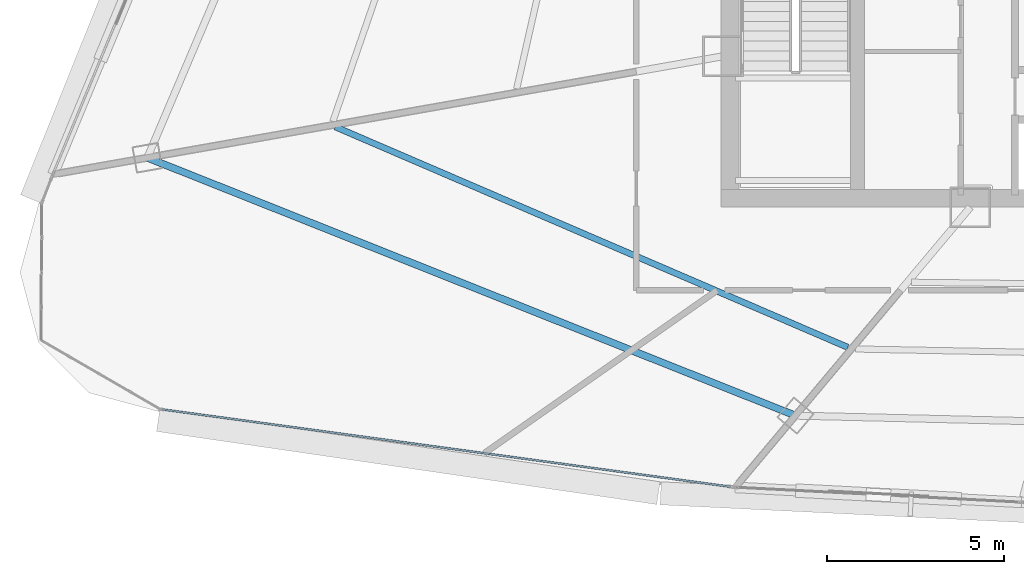
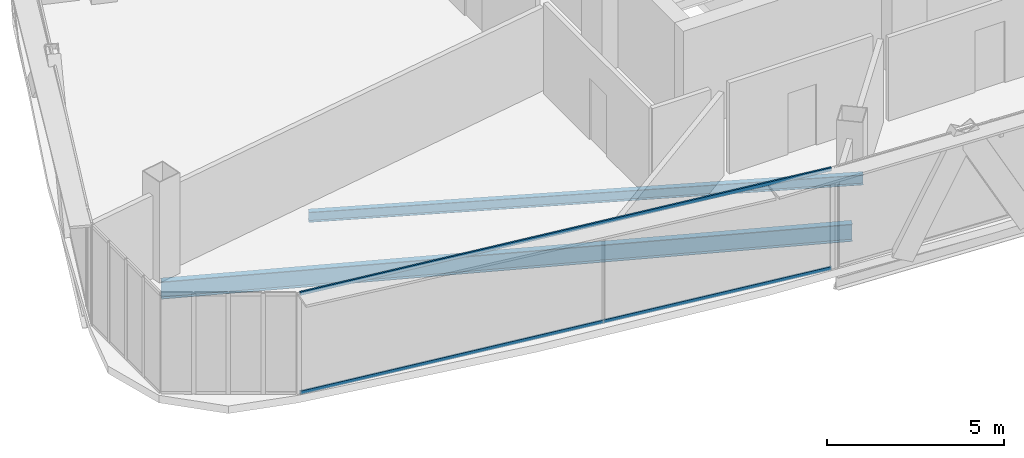
# One storey, part 3 of 40: 2 beams, 2 members, 1 element without a shape of its own.
"""IFC4 building model written with IfcOpenShell, lengths in metres."""

from ifc_helpers import new_model, si_unit, direction, frame, origin, origin_2d, place, context, subcontext, project, spatial, hollow_rectangle, i_section, extrude, source, transform, mapped, material, layer, layer_set, material_profile, profile_set, type_object, element, aggregate, save


model = new_model("IFC4")

# Units and contexts
model_context = context("Model", 3, precision=1e-05, world=origin(), true_north=direction((0.0, 1.0)))
body_context = subcontext(model_context, "Body", "Model", "MODEL_VIEW")
ifc_project = project(units=[si_unit("LENGTHUNIT", "METRE"), si_unit("AREAUNIT", "SQUARE_METRE"), si_unit("VOLUMEUNIT", "CUBIC_METRE"), si_unit("PLANEANGLEUNIT", "RADIAN"), si_unit("MASSUNIT", "GRAM", prefix="KILO"), si_unit("THERMODYNAMICTEMPERATUREUNIT", "KELVIN"), si_unit("POWERUNIT", "WATT")], contexts=[model_context])

# Site, building, storey
site_placement = place(None, origin())
site = spatial("IfcSite", under=ifc_project, at=site_placement, CompositionType="ELEMENT")
building_placement = place(site_placement, origin())
building = spatial("IfcBuilding", under=site, at=building_placement, Name="Yunzhuo Pagoda Commons", CompositionType="ELEMENT")
storey_placement = place(building_placement, frame((0.0, 0.0, 292.47998046875)))
storey = spatial("IfcBuildingStorey", under=building, at=storey_placement, Name="L73", CompositionType="ELEMENT", Elevation=292.47998046875)

# Beams
ifc_material_1 = material(Name="Structural steel Q355B", Category="steel")
ifc_material_profile_1 = material_profile(ifc_material_1, i_section(OverallWidth=0.199951171875, OverallDepth=0.60009765625, WebThickness=0.010986328125, FlangeThickness=0.01708984375, at=origin_2d()), Name="Structural steel Q355B")
ifc_profile_set_1 = profile_set([ifc_material_profile_1], Name="Structural steel Q355B")
beam_type_1 = type_object("IfcBeamType", Name="B-RG3 Beam HN 600x200x11x17", PredefinedType="BEAM", material=ifc_profile_set_1)
shared_shape_1 = source(origin(), body_context, "Body", "SweptSolid", [
    extrude(i_section(OverallWidth=0.199951171875, OverallDepth=0.60009765625, WebThickness=0.010986328125, FlangeThickness=0.01708984375, at=origin_2d()), origin(), (0.0, 0.0, 1.0), 19.70458984375),
])
beam_1_placement = place(storey_placement, frame((19.33837890625, 28.646240234375, -0.56005859375), z_axis=(0.929153602905, -0.369693903396, 0.0), x_axis=(0.369693903396, 0.929153602905, 0.0)))
element("IfcBeam", 1, at=beam_1_placement, inside=storey, type_object=beam_type_1, Name="L73 column-ring beam 12", PredefinedType="BEAM", context=body_context, shape_type="MappedRepresentation", body=[
    mapped(shared_shape_1, transform((0.0, 0.0, 0.0), scale=1.0)),
])
ifc_material_profile_2 = material_profile(ifc_material_1, i_section(OverallWidth=0.175048828125, OverallDepth=0.35009765625, WebThickness=0.007080078125, FlangeThickness=0.010986328125, at=origin_2d()), Name="Structural steel Q355B")
ifc_profile_set_2 = profile_set([ifc_material_profile_2], Name="Structural steel Q355B")
beam_type_2 = type_object("IfcBeamType", Name="B-JS2 Joist HN 350x175x7x11", PredefinedType="JOIST", material=ifc_profile_set_2)
shared_shape_2 = source(origin(), body_context, "Body", "SweptSolid", [
    extrude(i_section(OverallWidth=0.175048828125, OverallDepth=0.35009765625, WebThickness=0.007080078125, FlangeThickness=0.010986328125, at=origin_2d()), origin(), (0.0, 0.0, 1.0), 15.757568359375),
])
beam_2_placement = place(storey_placement, frame((24.647705078125, 29.5185546875, -0.43505859375), z_axis=(0.918597596679, -0.395194199573, 0.0), x_axis=(0.395194199573, 0.918597596679, 0.0)))
element("IfcBeam", 2, at=beam_2_placement, inside=storey, type_object=beam_type_2, Name="L73 composite ring joist 2.12", PredefinedType="JOIST", context=body_context, shape_type="MappedRepresentation", body=[
    mapped(shared_shape_2, transform((0.0, 0.0, 0.0), scale=1.0)),
])

# Curtain wall, members
ifc_material_2 = material(Name="Anodized aluminium 6063-T6", Category="aluminium")
ifc_layer = layer(ifc_material_2, 0.139892578125)
ifc_layer_set = layer_set([ifc_layer], Name="Anodized aluminium 6063-T6")
curtain_wall_type = type_object("IfcCurtainWallType", Name="CW-HI High-Zone Ribbon Curtain Wall", PredefinedType="NOTDEFINED", material=ifc_layer_set)
curtain_wall_placement = place(storey_placement, origin())
curtain_wall = element("IfcCurtainWall", 3, at=curtain_wall_placement, inside=storey, type_object=curtain_wall_type, Name="L73 curtain wall CW-L73-F1B1", PredefinedType="NOTDEFINED")
ifc_material_profile_3 = material_profile(ifc_material_2, hollow_rectangle(XDim=0.054931640625, YDim=0.1201171875, WallThickness=0.00341796875, at=origin_2d()), Name="Anodized aluminium 6063-T6")
ifc_profile_set_3 = profile_set([ifc_material_profile_3], Name="Anodized aluminium 6063-T6")
member_type = type_object("IfcMemberType", Name="CW-HI-T Transom RHS 120x55x3.5", PredefinedType="USERDEFINED", material=ifc_profile_set_3)
shared_shape_3 = source(origin(), body_context, "Body", "SweptSolid", [
    extrude(hollow_rectangle(XDim=0.054931640625, YDim=0.1201171875, WallThickness=0.00341796875, at=origin_2d()), origin(), (0.0, 0.0, 1.0), 16.199462890625),
])
member_1_placement = place(storey_placement, frame((19.759765625, 21.536376953125, 0.027587890625), z_axis=(0.990865442269, -0.134854274376, 0.0), x_axis=(0.134854274376, 0.990865442269, 0.0)))
member_1 = element("IfcMember", 4, at=member_1_placement, type_object=member_type, Name="CW transom 1.1", ObjectType="TRANSOM", PredefinedType="USERDEFINED", context=body_context, shape_type="MappedRepresentation", body=[
    mapped(shared_shape_3, transform((0.0, 0.0, 0.0), scale=1.0)),
])
member_2_placement = place(storey_placement, frame((19.759765625, 21.536376953125, 3.442626953125), z_axis=(0.990865442269, -0.134854274376, 0.0), x_axis=(0.134854274376, 0.990865442269, 0.0)))
member_2 = element("IfcMember", 5, at=member_2_placement, type_object=member_type, Name="CW transom 1.2", ObjectType="TRANSOM", PredefinedType="USERDEFINED", context=body_context, shape_type="MappedRepresentation", body=[
    mapped(shared_shape_3, transform((0.0, 0.0, 0.0), scale=1.0)),
])
aggregate(curtain_wall, [member_1, member_2])

save(model, "model.ifc")
